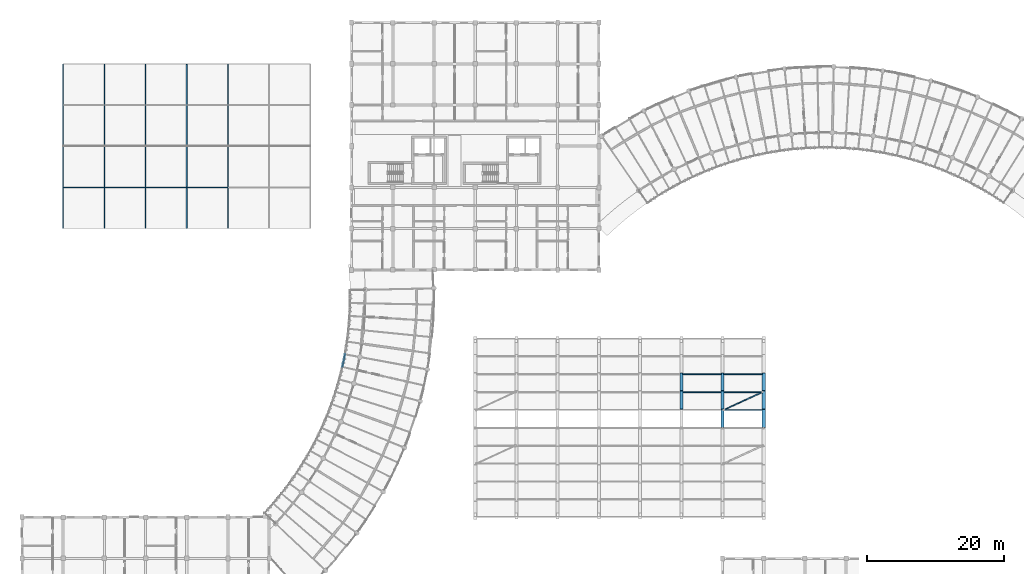
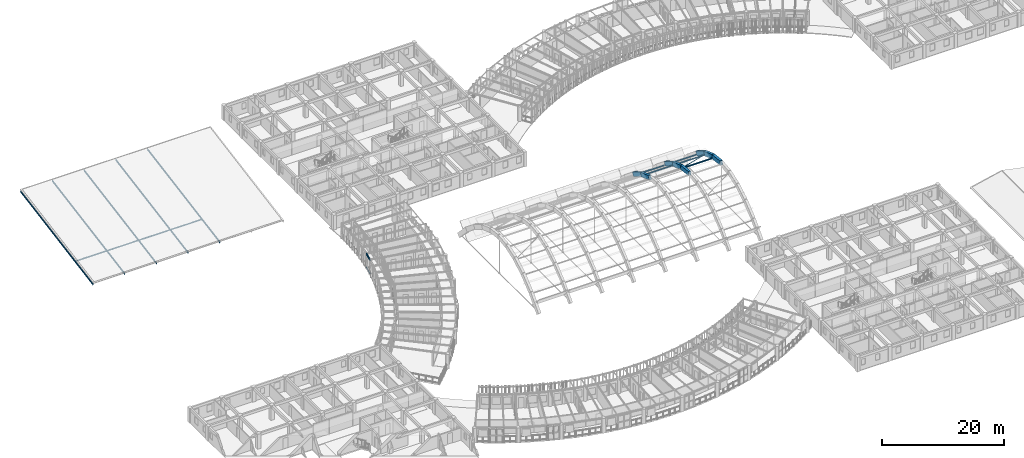
# One storey, part 37 of 123: 19 beams, 7 members.
"""IFC4 building model written with IfcOpenShell, lengths in metres."""

from ifc_helpers import new_model, si_unit, direction, frame, origin, origin_2d, place, context, subcontext, project, spatial, rectangle, hollow_rectangle, i_section, extrude, material, material_profile, profile_set, type_object, element, save


model = new_model("IFC4")

# Units and contexts
model_context = context("Model", 3, precision=1e-05, world=origin(), true_north=direction((0.0, 1.0)))
body_context = subcontext(model_context, "Body", "Model", "MODEL_VIEW")
ifc_project = project(units=[si_unit("LENGTHUNIT", "METRE"), si_unit("AREAUNIT", "SQUARE_METRE"), si_unit("VOLUMEUNIT", "CUBIC_METRE"), si_unit("PLANEANGLEUNIT", "RADIAN"), si_unit("MASSUNIT", "GRAM", prefix="KILO"), si_unit("POWERUNIT", "WATT"), si_unit("THERMODYNAMICTEMPERATUREUNIT", "KELVIN")], contexts=[model_context])

# Site, building, storey
site_placement = place(None, origin())
site = spatial("IfcSite", under=ifc_project, at=site_placement, CompositionType="ELEMENT")
building_placement = place(site_placement, origin())
building = spatial("IfcBuilding", under=site, at=building_placement, Name="Ruvembo Vaulted Housing Court", CompositionType="ELEMENT")
storey_placement = place(building_placement, frame((0.0, 0.0, 7.699951171875)))
storey = spatial("IfcBuildingStorey", under=building, at=storey_placement, Name="L02", CompositionType="ELEMENT", Elevation=7.699951171875)

# Beams
ifc_material_1 = material(Name="Concrete C35/45", Category="concrete")
ifc_material_profile_1 = material_profile(ifc_material_1, rectangle(XDim=0.449951171875, YDim=0.800048828125, at=origin_2d()), Name="RC 450x800")
ifc_profile_set_1 = profile_set([ifc_material_profile_1], Name="Concrete C35/45")
beam_type_1 = type_object("IfcBeamType", Name="AR-RC-450x800", PredefinedType="BEAM", material=ifc_profile_set_1)
beam_1_placement = place(storey_placement, frame((96.0, 57.60009765625, 5.796142578125), z_axis=(0.0, 0.943613580104, -0.331048956265), x_axis=(-1.0, 0.0, 0.0)))
element("IfcBeam", 1, at=beam_1_placement, inside=storey, type_object=beam_type_1, Name="Community Hall Parabolic Arch Rib AR-06 Seg 7", PredefinedType="BEAM", context=body_context, shape_type="SweptSolid", body=[
    extrude(rectangle(XDim=0.449951171875, YDim=0.800048828125, at=origin_2d()), origin(), (0.0, 0.0, 1.0), 2.755126953125),
])
beam_2_placement = place(storey_placement, frame((96.0, 60.199951171875, 4.884033203125), z_axis=(0.0, 0.863302227703, -0.504687292928), x_axis=(-1.0, 0.0, 0.0)))
element("IfcBeam", 2, at=beam_2_placement, inside=storey, type_object=beam_type_1, Name="Community Hall Parabolic Arch Rib AR-06 Seg 8", PredefinedType="BEAM", context=body_context, shape_type="SweptSolid", body=[
    extrude(rectangle(XDim=0.449951171875, YDim=0.800048828125, at=origin_2d()), origin(), (0.0, 0.0, 1.0), 3.01171875),
])
beam_3_placement = place(storey_placement, frame((102.0, 55.0, 6.10009765625), z_axis=(0.0, 0.993236276414, -0.116110719637), x_axis=(-1.0, 0.0, 0.0)))
element("IfcBeam", 3, at=beam_3_placement, inside=storey, type_object=beam_type_1, Name="Community Hall Parabolic Arch Rib AR-07 Seg 6", PredefinedType="BEAM", context=body_context, shape_type="SweptSolid", body=[
    extrude(rectangle(XDim=0.449951171875, YDim=0.800048828125, at=origin_2d()), origin(), (0.0, 0.0, 1.0), 2.617919921875),
])
beam_4_placement = place(storey_placement, frame((102.0, 57.60009765625, 5.796142578125), z_axis=(0.0, 0.943613580104, -0.331048956265), x_axis=(-1.0, 0.0, 0.0)))
element("IfcBeam", 4, at=beam_4_placement, inside=storey, type_object=beam_type_1, Name="Community Hall Parabolic Arch Rib AR-07 Seg 7", PredefinedType="BEAM", context=body_context, shape_type="SweptSolid", body=[
    extrude(rectangle(XDim=0.449951171875, YDim=0.800048828125, at=origin_2d()), origin(), (0.0, 0.0, 1.0), 2.755126953125),
])
beam_5_placement = place(storey_placement, frame((102.0, 60.199951171875, 4.884033203125), z_axis=(0.0, 0.863302227703, -0.504687292928), x_axis=(-1.0, 0.0, 0.0)))
element("IfcBeam", 5, at=beam_5_placement, inside=storey, type_object=beam_type_1, Name="Community Hall Parabolic Arch Rib AR-07 Seg 8", PredefinedType="BEAM", context=body_context, shape_type="SweptSolid", body=[
    extrude(rectangle(XDim=0.449951171875, YDim=0.800048828125, at=origin_2d()), origin(), (0.0, 0.0, 1.0), 3.01171875),
])
ifc_material_profile_2 = material_profile(ifc_material_1, rectangle(XDim=0.5, YDim=0.85009765625, at=origin_2d()), Name="RC 500x850")
ifc_profile_set_2 = profile_set([ifc_material_profile_2], Name="Concrete C35/45")
beam_type_2 = type_object("IfcBeamType", Name="AR-RC-500x850", PredefinedType="BEAM", material=ifc_profile_set_2)
beam_6_placement = place(storey_placement, frame((108.0, 55.0, 6.10009765625), z_axis=(0.0, 0.993236276414, -0.116110719637), x_axis=(-1.0, 0.0, 0.0)))
element("IfcBeam", 6, at=beam_6_placement, inside=storey, type_object=beam_type_2, Name="Community Hall Parabolic Arch Rib AR-08 Seg 6", PredefinedType="BEAM", context=body_context, shape_type="SweptSolid", body=[
    extrude(rectangle(XDim=0.5, YDim=0.85009765625, at=origin_2d()), origin(), (0.0, 0.0, 1.0), 2.617919921875),
])
beam_7_placement = place(storey_placement, frame((108.0, 57.60009765625, 5.796142578125), z_axis=(0.0, 0.943613580104, -0.331048956265), x_axis=(-1.0, 0.0, 0.0)))
element("IfcBeam", 7, at=beam_7_placement, inside=storey, type_object=beam_type_2, Name="Community Hall Parabolic Arch Rib AR-08 Seg 7", PredefinedType="BEAM", context=body_context, shape_type="SweptSolid", body=[
    extrude(rectangle(XDim=0.5, YDim=0.85009765625, at=origin_2d()), origin(), (0.0, 0.0, 1.0), 2.755126953125),
])
beam_8_placement = place(storey_placement, frame((108.0, 60.199951171875, 4.884033203125), z_axis=(0.0, 0.863302227703, -0.504687292928), x_axis=(-1.0, 0.0, 0.0)))
element("IfcBeam", 8, at=beam_8_placement, inside=storey, type_object=beam_type_2, Name="Community Hall Parabolic Arch Rib AR-08 Seg 8", PredefinedType="BEAM", context=body_context, shape_type="SweptSolid", body=[
    extrude(rectangle(XDim=0.5, YDim=0.85009765625, at=origin_2d()), origin(), (0.0, 0.0, 1.0), 3.01171875),
])
ifc_material_2 = material(Name="Steel S355J2", Category="steel")
ifc_material_profile_3 = material_profile(ifc_material_2, i_section(OverallWidth=0.1201171875, OverallDepth=0.239990234375, WebThickness=0.006103515625, FlangeThickness=0.009765625, FilletRadius=0.014892578125, at=origin_2d()), Name="IPE 240")
ifc_profile_set_3 = profile_set([ifc_material_profile_3], Name="Steel S355J2")
beam_type_3 = type_object("IfcBeamType", Name="BM-ST-IPE240", PredefinedType="BEAM", material=ifc_profile_set_3)
beam_9_placement = place(storey_placement, frame((46.664794921875, 63.86669921875, 2.820068359375), z_axis=(0.20126745828, 0.979536324103, 0.0), x_axis=(-0.979536324103, 0.20126745828, 0.0)))
element("IfcBeam", 9, at=beam_9_placement, inside=storey, type_object=beam_type_3, Name="Scoop SC1 L02 Balcony Edge Spandrel 13", PredefinedType="BEAM", context=body_context, shape_type="SweptSolid", body=[
    extrude(i_section(OverallWidth=0.1201171875, OverallDepth=0.239990234375, WebThickness=0.006103515625, FlangeThickness=0.009765625, FilletRadius=0.014892578125, at=origin_2d()), origin(), (0.0, 0.0, 1.0), 1.87646484375),
])
for number, where, z_axis, x_axis, name in (
    (10, (96.2099609375, 60.199951171875, 4.60400390625), (1.0, 0.0, 0.0), (0.0, 1.0, 0.0), "Vault Bay 6 Steel Purlin K7"),
    (11, (96.2099609375, 62.800048828125, 3.083984375), (1.0, 0.0, 0.0), (0.0, 1.0, 0.0), "Vault Bay 6 Steel Purlin K8"),
    (12, (102.2099609375, 60.199951171875, 4.60400390625), (1.0, 0.0, 0.0), (0.0, 1.0, 0.0), "Vault Bay 7 Steel Purlin K7"),
    (13, (102.2099609375, 62.800048828125, 3.083984375), (1.0, 0.0, 0.0), (0.0, 1.0, 0.0), "Vault Bay 7 Steel Purlin K8"),
):
    element("IfcBeam", number, at=place(storey_placement, frame(where, z_axis=z_axis, x_axis=x_axis)), inside=storey, type_object=beam_type_3, Name=name, PredefinedType="BEAM", context=body_context, shape_type="SweptSolid", body=[
        extrude(i_section(OverallWidth=0.1201171875, OverallDepth=0.239990234375, WebThickness=0.006103515625, FlangeThickness=0.009765625, FilletRadius=0.014892578125, at=origin_2d()), origin(), (0.0, 0.0, 1.0), 5.580078125),
    ])
ifc_material_profile_4 = material_profile(ifc_material_2, i_section(OverallWidth=0.135009765625, OverallDepth=0.27001953125, WebThickness=0.006591796875, FlangeThickness=0.01025390625, FilletRadius=0.014892578125, at=origin_2d()), Name="IPE 270")
ifc_profile_set_4 = profile_set([ifc_material_profile_4], Name="Steel S355J2")
beam_type_4 = type_object("IfcBeamType", Name="BM-ST-IPE270", PredefinedType="BEAM", material=ifc_profile_set_4)
beam_10_placement = place(storey_placement, frame((102.2099609375, 57.60009765625, 5.51611328125), z_axis=(1.0, 0.0, 0.0), x_axis=(0.0, 1.0, 0.0)))
element("IfcBeam", 14, at=beam_10_placement, inside=storey, type_object=beam_type_4, Name="Vault Bay 7 Steel Purlin K6", PredefinedType="BEAM", context=body_context, shape_type="SweptSolid", body=[
    extrude(i_section(OverallWidth=0.135009765625, OverallDepth=0.27001953125, WebThickness=0.006591796875, FlangeThickness=0.01025390625, FilletRadius=0.014892578125, at=origin_2d()), origin(), (0.0, 0.0, 1.0), 5.580078125),
])
ifc_material_profile_5 = material_profile(ifc_material_2, i_section(OverallWidth=0.14990234375, OverallDepth=0.300048828125, WebThickness=0.007080078125, FlangeThickness=0.0107421875, FilletRadius=0.014892578125, at=origin_2d()), Name="IPE 300")
ifc_profile_set_5 = profile_set([ifc_material_profile_5], Name="Steel S355J2")
beam_type_5 = type_object("IfcBeamType", Name="BM-ST-IPE300", PredefinedType="BEAM", material=ifc_profile_set_5)
for number, where, z_axis, x_axis, name in (
    (15, (6.0, 84.080078125, -0.159912109375), (0.0, 0.984608772285, 0.174772897039), (-1.0, 0.0, 0.0), "Nursery Sloped Steel Rafter 1"),
    (16, (12.0, 84.080078125, -0.159912109375), (0.0, 0.984608772285, 0.174772897039), (-1.0, 0.0, 0.0), "Nursery Sloped Steel Rafter 2"),
    (17, (18.0, 84.080078125, -0.159912109375), (0.0, 0.984608772285, 0.174772897039), (-1.0, 0.0, 0.0), "Nursery Sloped Steel Rafter 3"),
    (18, (24.0, 84.080078125, -0.159912109375), (0.0, 0.984608772285, 0.174772897039), (-1.0, 0.0, 0.0), "Nursery Sloped Steel Rafter 4"),
    (19, (30.0, 84.080078125, -0.159912109375), (0.0, 0.984608772285, 0.174772897039), (-1.0, 0.0, 0.0), "Nursery Sloped Steel Rafter 5"),
):
    element("IfcBeam", number, at=place(storey_placement, frame(where, z_axis=z_axis, x_axis=x_axis)), inside=storey, type_object=beam_type_5, Name=name, PredefinedType="BEAM", context=body_context, shape_type="SweptSolid", body=[
        extrude(i_section(OverallWidth=0.14990234375, OverallDepth=0.300048828125, WebThickness=0.007080078125, FlangeThickness=0.0107421875, FilletRadius=0.014892578125, at=origin_2d()), origin(), (0.0, 0.0, 1.0), 24.21240234375),
    ])

# Members
ifc_material_profile_6 = material_profile(ifc_material_2, hollow_rectangle(XDim=0.1201171875, YDim=0.1201171875, WallThickness=0.008056640625, InnerFilletRadius=0.008056640625, OuterFilletRadius=0.01611328125, at=origin_2d()), Name="SHS 120x120x8")
ifc_profile_set_6 = profile_set([ifc_material_profile_6], Name="Steel S355J2")
member_type_1 = type_object("IfcMemberType", Name="MEM-BRC-SHS120", PredefinedType="BRACE", material=ifc_profile_set_6)
member_1_placement = place(storey_placement, frame((102.179931640625, 57.60009765625, 5.575927734375), z_axis=(0.898527071987, 0.414181230612, -0.145268747895), x_axis=(-0.418621873876, 0.908160628255, 0.0)))
element("IfcMember", 20, at=member_1_placement, inside=storey, type_object=member_type_1, Name="Vault Roof Arch Wind Brace B7.6", PredefinedType="BRACE", context=body_context, shape_type="SweptSolid", body=[
    extrude(hollow_rectangle(XDim=0.1201171875, YDim=0.1201171875, WallThickness=0.008056640625, InnerFilletRadius=0.008056640625, OuterFilletRadius=0.01611328125, at=origin_2d()), origin(), (0.0, 0.0, 1.0), 6.277099609375),
])
ifc_material_profile_7 = material_profile(ifc_material_2, hollow_rectangle(XDim=0.06005859375, YDim=0.1201171875, WallThickness=0.0048828125, InnerFilletRadius=0.0048828125, OuterFilletRadius=0.010009765625, at=origin_2d()), Name="RHS 120x60x5")
ifc_profile_set_7 = profile_set([ifc_material_profile_7], Name="Steel S355J2")
member_type_2 = type_object("IfcMemberType", Name="MEM-CAR-RHS120", PredefinedType="CHORD", material=ifc_profile_set_7)
member_2_placement = place(storey_placement, frame((46.664794921875, 63.86669921875, 2.64306640625), z_axis=(0.20126745828, 0.979536324103, 0.0), x_axis=(-0.979536324103, 0.20126745828, 0.0)))
element("IfcMember", 21, at=member_2_placement, inside=storey, type_object=member_type_2, Name="Scoop SC1 L02 Upper Louvre Carrier Rail 13", PredefinedType="CHORD", context=body_context, shape_type="SweptSolid", body=[
    extrude(hollow_rectangle(XDim=0.06005859375, YDim=0.1201171875, WallThickness=0.0048828125, InnerFilletRadius=0.0048828125, OuterFilletRadius=0.010009765625, at=origin_2d()), origin(), (0.0, 0.0, 1.0), 1.87646484375),
])
ifc_material_profile_8 = material_profile(ifc_material_2, hollow_rectangle(XDim=0.080078125, YDim=0.14990234375, WallThickness=0.00634765625, InnerFilletRadius=0.00634765625, OuterFilletRadius=0.0126953125, at=origin_2d()), Name="RHS 150x80x6.3")
ifc_profile_set_8 = profile_set([ifc_material_profile_8], Name="Steel S355J2")
member_type_3 = type_object("IfcMemberType", Name="MEM-CAR-RHS150", PredefinedType="CHORD", material=ifc_profile_set_8)
member_3_placement = place(storey_placement, frame((46.664794921875, 63.86669921875, 0.094970703125), z_axis=(0.20126745828, 0.979536324103, 0.0), x_axis=(-0.979536324103, 0.20126745828, 0.0)))
element("IfcMember", 22, at=member_3_placement, inside=storey, type_object=member_type_3, Name="Scoop SC1 L02 Lower Louvre Carrier Rail 13", PredefinedType="CHORD", context=body_context, shape_type="SweptSolid", body=[
    extrude(hollow_rectangle(XDim=0.080078125, YDim=0.14990234375, WallThickness=0.00634765625, InnerFilletRadius=0.00634765625, OuterFilletRadius=0.0126953125, at=origin_2d()), origin(), (0.0, 0.0, 1.0), 1.87646484375),
])
ifc_material_profile_9 = material_profile(ifc_material_2, i_section(OverallWidth=0.08203125, OverallDepth=0.159912109375, WebThickness=0.0048828125, FlangeThickness=0.00732421875, FilletRadius=0.009033203125, at=origin_2d()), Name="IPE 160")
ifc_profile_set_9 = profile_set([ifc_material_profile_9], Name="Steel S355J2")
member_type_4 = type_object("IfcMemberType", Name="MEM-PUR-IPE160", PredefinedType="PURLIN", material=ifc_profile_set_9)
for number, where, z_axis, x_axis, name in (
    (23, (6.0048828125, 90.0, 0.89794921875), (1.0, 0.0, 0.0), (0.0, 1.0, 0.0), "Nursery Steel Roof Purlin B1 Y90"),
    (24, (12.0048828125, 90.0, 0.89794921875), (1.0, 0.0, 0.0), (0.0, 1.0, 0.0), "Nursery Steel Roof Purlin B2 Y90"),
    (25, (18.0048828125, 90.0, 0.89794921875), (1.0, 0.0, 0.0), (0.0, 1.0, 0.0), "Nursery Steel Roof Purlin B3 Y90"),
    (26, (24.0048828125, 90.0, 0.89794921875), (1.0, 0.0, 0.0), (0.0, 1.0, 0.0), "Nursery Steel Roof Purlin B4 Y90"),
):
    element("IfcMember", number, at=place(storey_placement, frame(where, z_axis=z_axis, x_axis=x_axis)), inside=storey, type_object=member_type_4, Name=name, PredefinedType="PURLIN", context=body_context, shape_type="SweptSolid", body=[
        extrude(i_section(OverallWidth=0.08203125, OverallDepth=0.159912109375, WebThickness=0.0048828125, FlangeThickness=0.00732421875, FilletRadius=0.009033203125, at=origin_2d()), origin(), (0.0, 0.0, 1.0), 5.990234375),
    ])

save(model, "model.ifc")
